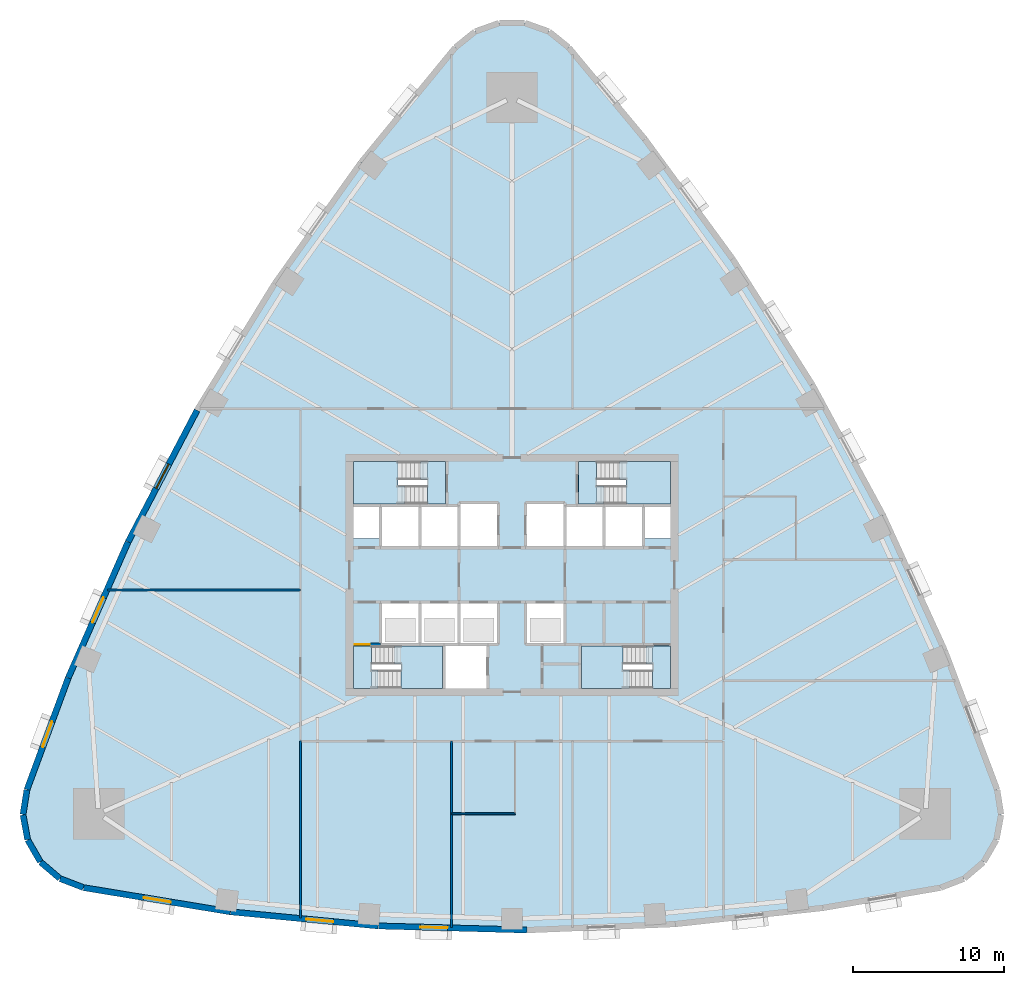
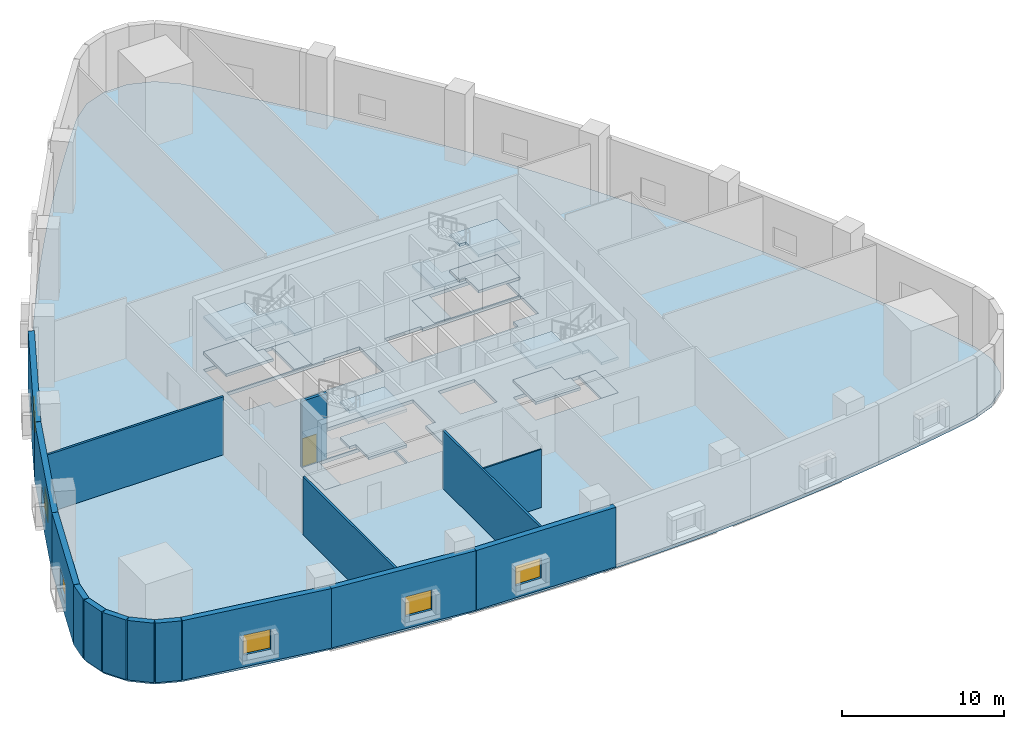
# One storey, part 2 of 11: 17 slabs, 16 walls, 6 windows, 1 door, 7 openings, 4 elements without a shape of their own.
"""IFC4 building model written with IfcOpenShell, lengths in metres."""

from ifc_helpers import new_model, si_unit, direction, frame, frame_2d, origin, place, context, subcontext, project, spatial, polyline, rectangle, outline, extrude, material, layer, layer_set, type_object, element, fill, aggregate, save


model = new_model("IFC4")

# Units and contexts
model_context = context("Model", 3, precision=1e-05, world=origin(), true_north=direction((0.0, 1.0)))
body_context = subcontext(model_context, "Body", "Model", "MODEL_VIEW")
ifc_project = project(units=[si_unit("LENGTHUNIT", "METRE"), si_unit("AREAUNIT", "SQUARE_METRE"), si_unit("VOLUMEUNIT", "CUBIC_METRE"), si_unit("PLANEANGLEUNIT", "RADIAN"), si_unit("MASSUNIT", "GRAM", prefix="KILO")], contexts=[model_context])

# Site, building, storey
site_placement = place(None, origin())
site = spatial("IfcSite", under=ifc_project, at=site_placement, CompositionType="ELEMENT")
building_placement = place(site_placement, origin())
building = spatial("IfcBuilding", under=site, at=building_placement, Name="Sierra Prisma Convention Tower", CompositionType="ELEMENT")
storey_placement = place(building_placement, frame((0.0, 0.0, 28.800048828125)))
storey = spatial("IfcBuildingStorey", under=building, at=storey_placement, Name="L04", CompositionType="ELEMENT", Elevation=28.800048828125)

# Slab
ifc_material_1 = material(Name="Concrete C35/45", Category="concrete")
ifc_layer_1 = layer(ifc_material_1, 0.25)
ifc_layer_set_1 = layer_set([ifc_layer_1], Name="Convention floor slab 250")
slab_type_1 = type_object("IfcSlabType", Name="Convention floor slab 250", PredefinedType="FLOOR", material=ifc_layer_set_1)
slab_1_placement = place(storey_placement, frame((0.0, 0.0, -0.25)))
element("IfcSlab", 1, at=slab_1_placement, inside=storey, type_object=slab_type_1, Name="Floor slab L04 floor", PredefinedType="FLOOR", context=body_context, shape_type="SweptSolid", body=[
    extrude(outline(polyline([(-28.3349609375, -20.696533203125), (-26.403564453125, -21.06884765625), (-24.467529296875, -21.414794921875), (-22.52685546875, -21.734375), (-20.581787109375, -22.027587890625), (-18.63330078125, -22.29443359375), (-16.68115234375, -22.53466796875), (-14.725830078125, -22.748291015625), (-12.767822265625, -22.93505859375), (-10.8076171875, -23.095458984375), (-8.845458984375, -23.229248046875), (-6.88134765625, -23.336181640625), (-4.916259765625, -23.41650390625), (-2.9501953125, -23.469970703125), (-0.9833984375, -23.49658203125), (0.9833984375, -23.49658203125), (2.9501953125, -23.469970703125), (4.916259765625, -23.41650390625), (6.88134765625, -23.336181640625), (8.845458984375, -23.229248046875), (10.8076171875, -23.095458984375), (12.767822265625, -22.93505859375), (14.725830078125, -22.748291015625), (16.68115234375, -22.53466796875), (18.63330078125, -22.29443359375), (20.581787109375, -22.027587890625), (22.52685546875, -21.734375), (24.467529296875, -21.414794921875), (26.403564453125, -21.06884765625), (28.3349609375, -20.696533203125), (29.913818359375, -20.089111328125), (31.199951171875, -18.989990234375), (32.045654296875, -17.52490234375), (32.354736328125, -15.861572265625), (32.091064453125, -14.1904296875), (31.447998046875, -12.331787109375), (30.779541015625, -10.48193359375), (30.0859375, -8.6416015625), (29.367431640625, -6.810546875), (28.6240234375, -4.98974609375), (27.85595703125, -3.178955078125), (27.0634765625, -1.37890625), (26.246337890625, 0.41015625), (25.405029296875, 2.18798828125), (24.539794921875, 3.954345703125), (23.650390625, 5.70849609375), (22.7373046875, 7.45068359375), (21.800537109375, 9.18017578125), (20.84033203125, 10.896728515625), (19.85693359375, 12.60009765625), (18.8505859375, 14.289794921875), (17.821044921875, 15.9658203125), (16.76904296875, 17.62744140625), (15.6943359375, 19.27490234375), (14.597412109375, 20.907470703125), (13.478515625, 22.52490234375), (12.337646484375, 24.126953125), (11.175048828125, 25.713623046875), (9.990966796875, 27.283935546875), (8.78564453125, 28.83837890625), (7.559326171875, 30.3759765625), (6.31201171875, 31.89697265625), (5.04443359375, 33.400634765625), (3.75634765625, 34.886962890625), (2.440673828125, 35.95068359375), (0.845947265625, 36.514892578125), (-0.845947265625, 36.514892578125), (-2.440673828125, 35.95068359375), (-3.75634765625, 34.886962890625), (-5.04443359375, 33.400634765625), (-6.31201171875, 31.89697265625), (-7.559326171875, 30.3759765625), (-8.78564453125, 28.83837890625), (-9.990966796875, 27.283935546875), (-11.175048828125, 25.713623046875), (-12.337646484375, 24.126953125), (-13.478515625, 22.52490234375), (-14.597412109375, 20.907470703125), (-15.6943359375, 19.27490234375), (-16.76904296875, 17.62744140625), (-17.821044921875, 15.9658203125), (-18.8505859375, 14.289794921875), (-19.85693359375, 12.60009765625), (-20.84033203125, 10.896728515625), (-21.800537109375, 9.18017578125), (-22.7373046875, 7.45068359375), (-23.650390625, 5.70849609375), (-24.539794921875, 3.954345703125), (-25.405029296875, 2.18798828125), (-26.246337890625, 0.41015625), (-27.0634765625, -1.37890625), (-27.85595703125, -3.178955078125), (-28.6240234375, -4.98974609375), (-29.367431640625, -6.810546875), (-30.0859375, -8.6416015625), (-30.779541015625, -10.48193359375), (-31.447998046875, -12.331787109375), (-32.091064453125, -14.1904296875), (-32.354736328125, -15.861572265625), (-32.045654296875, -17.52490234375), (-31.199951171875, -18.989990234375), (-29.913818359375, -20.089111328125), (-28.3349609375, -20.696533203125)]), holes=[polyline([(-4.60009765625, -7.5), (-10.5, -7.5), (-10.5, -4.699951171875), (-4.60009765625, -4.699951171875), (-4.60009765625, -7.5)]), polyline([(-8.699951171875, -4.60009765625), (-8.699951171875, -1.800048828125), (-6.10009765625, -1.800048828125), (-3.5, -1.800048828125), (-0.89990234375, -1.800048828125), (-0.89990234375, -4.60009765625), (-1.60009765625, -4.60009765625), (-1.60009765625, -7.5), (-4.5, -7.5), (-4.5, -4.60009765625), (-6.10009765625, -4.60009765625), (-8.699951171875, -4.60009765625)]), polyline([(-10.5, 4.60009765625), (-8.699951171875, 4.60009765625), (-6.10009765625, 4.60009765625), (-3.5, 4.60009765625), (-3.5, 4.800048828125), (-0.89990234375, 4.800048828125), (-0.89990234375, 1.800048828125), (-3.5, 1.800048828125), (-6.10009765625, 1.800048828125), (-8.699951171875, 1.800048828125), (-8.699951171875, 2.39990234375), (-10.5, 2.39990234375), (-10.5, 4.60009765625)]), polyline([(-4.39990234375, 4.699951171875), (-10.5, 4.699951171875), (-10.5, 7.5), (-4.39990234375, 7.5), (-4.39990234375, 4.699951171875)]), polyline([(10.5, -7.5), (4.60009765625, -7.5), (4.60009765625, -4.699951171875), (10.5, -4.699951171875), (10.5, -7.5)]), polyline([(3.5, -4.60009765625), (0.89990234375, -4.60009765625), (0.89990234375, -1.800048828125), (3.5, -1.800048828125), (3.5, -4.60009765625)]), polyline([(10.5, 4.60009765625), (10.5, 2.39990234375), (8.699951171875, 2.39990234375), (8.699951171875, 1.800048828125), (6.10009765625, 1.800048828125), (3.5, 1.800048828125), (0.89990234375, 1.800048828125), (0.89990234375, 4.800048828125), (3.5, 4.800048828125), (3.5, 4.60009765625), (6.10009765625, 4.60009765625), (8.699951171875, 4.60009765625), (10.5, 4.60009765625)]), polyline([(4.39990234375, 4.699951171875), (4.39990234375, 7.5), (10.5, 7.5), (10.5, 4.699951171875), (4.39990234375, 4.699951171875)])]), origin(), (0.0, 0.0, 1.0), 0.25),
])

# Stair, slabs
ifc_material_2 = material(Name="Concrete C30/37", Category="concrete")
stair_type = type_object("IfcStairType", Name="Stair dog-leg 1200 RC", PredefinedType="HALF_TURN_STAIR", material=ifc_material_2)
stair_1_placement = place(storey_placement, origin())
stair_1 = element("IfcStair", 2, at=stair_1_placement, inside=storey, type_object=stair_type, Name="L04 S1", PredefinedType="HALF_TURN_STAIR")
ifc_material_3 = material(Name="Concrete C35/45", Category="concrete")
ifc_layer_2 = layer(ifc_material_3, 0.199951171875)
ifc_layer_set_2 = layer_set([ifc_layer_2], Name="Stair landing slab")
slab_type_2 = type_object("IfcSlabType", Name="Stair landing slab", PredefinedType="LANDING", material=ifc_layer_set_2)
slab_2_placement = place(storey_placement, frame((0.0, 0.0, 1.14990234375)))
slab_2 = element("IfcSlab", 3, at=slab_2_placement, type_object=slab_type_2, Name="S1 landing 1", PredefinedType="LANDING", context=body_context, shape_type="SweptSolid", body=[
    extrude(outline(polyline([(-4.60009765625, -4.699951171875), (-4.60009765625, -7.5), (-7.342041015625, -7.5), (-7.342041015625, -5.89990234375), (-7.7900390625, -5.89990234375), (-7.7900390625, -4.699951171875), (-4.60009765625, -4.699951171875)])), origin(), (0.0, 0.0, 1.0), 0.199951171875),
])
slab_3_placement = place(storey_placement, frame((0.0, 0.0, 2.5)))
slab_3 = element("IfcSlab", 4, at=slab_3_placement, type_object=slab_type_2, Name="S1 landing 2", PredefinedType="LANDING", context=body_context, shape_type="SweptSolid", body=[
    extrude(outline(polyline([(-10.5, -7.5), (-10.5, -4.699951171875), (-9.298095703125, -4.699951171875), (-9.298095703125, -6.300048828125), (-8.85009765625, -6.300048828125), (-8.85009765625, -7.5), (-10.5, -7.5)])), origin(), (0.0, 0.0, 1.0), 0.199951171875),
])
slab_4_placement = place(storey_placement, frame((0.0, 0.0, 3.849853515625)))
slab_4 = element("IfcSlab", 5, at=slab_4_placement, type_object=slab_type_2, Name="S1 landing 3", PredefinedType="LANDING", context=body_context, shape_type="SweptSolid", body=[
    extrude(outline(polyline([(-4.60009765625, -4.699951171875), (-4.60009765625, -7.5), (-7.342041015625, -7.5), (-7.342041015625, -5.89990234375), (-7.7900390625, -5.89990234375), (-7.7900390625, -4.699951171875), (-4.60009765625, -4.699951171875)])), origin(), (0.0, 0.0, 1.0), 0.2001953125),
])
aggregate(stair_1, [slab_2, slab_3, slab_4])

# Slab
slab_5_placement = place(storey_placement, frame((0.0, 0.0, -0.199951171875)))
element("IfcSlab", 6, at=slab_5_placement, inside=storey, type_object=slab_type_2, Name="S1 floor landing L04", PredefinedType="LANDING", context=body_context, shape_type="SweptSolid", body=[
    extrude(outline(polyline([(-10.5, -7.5), (-9.298095703125, -7.5), (-9.298095703125, -4.699951171875), (-10.5, -4.699951171875), (-10.5, -7.5)])), origin(), (0.0, 0.0, 1.0), 0.199951171875),
])

# Stair, slabs
stair_2_placement = place(storey_placement, origin())
stair_2 = element("IfcStair", 7, at=stair_2_placement, inside=storey, type_object=stair_type, Name="L04 S2", PredefinedType="HALF_TURN_STAIR")
slab_6_placement = place(storey_placement, frame((0.0, 0.0, 1.14990234375)))
slab_6 = element("IfcSlab", 8, at=slab_6_placement, type_object=slab_type_2, Name="S2 landing 1", PredefinedType="LANDING", context=body_context, shape_type="SweptSolid", body=[
    extrude(outline(polyline([(7.7900390625, -6.300048828125), (7.7900390625, -7.5), (4.60009765625, -7.5), (4.60009765625, -4.699951171875), (7.342041015625, -4.699951171875), (7.342041015625, -6.300048828125), (7.7900390625, -6.300048828125)])), origin(), (0.0, 0.0, 1.0), 0.199951171875),
])
slab_7_placement = place(storey_placement, frame((0.0, 0.0, 2.5)))
slab_7 = element("IfcSlab", 9, at=slab_7_placement, type_object=slab_type_2, Name="S2 landing 2", PredefinedType="LANDING", context=body_context, shape_type="SweptSolid", body=[
    extrude(outline(polyline([(10.5, -4.699951171875), (10.5, -7.5), (9.298095703125, -7.5), (9.298095703125, -5.89990234375), (8.85009765625, -5.89990234375), (8.85009765625, -4.699951171875), (10.5, -4.699951171875)])), origin(), (0.0, 0.0, 1.0), 0.199951171875),
])
slab_8_placement = place(storey_placement, frame((0.0, 0.0, 3.849853515625)))
slab_8 = element("IfcSlab", 10, at=slab_8_placement, type_object=slab_type_2, Name="S2 landing 3", PredefinedType="LANDING", context=body_context, shape_type="SweptSolid", body=[
    extrude(outline(polyline([(7.7900390625, -6.300048828125), (7.7900390625, -7.5), (4.60009765625, -7.5), (4.60009765625, -4.699951171875), (7.342041015625, -4.699951171875), (7.342041015625, -6.300048828125), (7.7900390625, -6.300048828125)])), origin(), (0.0, 0.0, 1.0), 0.2001953125),
])
aggregate(stair_2, [slab_6, slab_7, slab_8])

# Slab
slab_9_placement = place(storey_placement, frame((0.0, 0.0, -0.199951171875)))
element("IfcSlab", 11, at=slab_9_placement, inside=storey, type_object=slab_type_2, Name="S2 floor landing L04", PredefinedType="LANDING", context=body_context, shape_type="SweptSolid", body=[
    extrude(outline(polyline([(10.5, -4.699951171875), (9.298095703125, -4.699951171875), (9.298095703125, -7.5), (10.5, -7.5), (10.5, -4.699951171875)])), origin(), (0.0, 0.0, 1.0), 0.199951171875),
])

# Stair, slabs
stair_3_placement = place(storey_placement, origin())
stair_3 = element("IfcStair", 12, at=stair_3_placement, inside=storey, type_object=stair_type, Name="L04 S3", PredefinedType="HALF_TURN_STAIR")
slab_10_placement = place(storey_placement, frame((0.0, 0.0, 1.14990234375)))
slab_10 = element("IfcSlab", 13, at=slab_10_placement, type_object=slab_type_2, Name="S3 landing 1", PredefinedType="LANDING", context=body_context, shape_type="SweptSolid", body=[
    extrude(outline(polyline([(-7.110107421875, 5.89990234375), (-7.110107421875, 4.699951171875), (-10.5, 4.699951171875), (-10.5, 7.5), (-7.55810546875, 7.5), (-7.55810546875, 5.89990234375), (-7.110107421875, 5.89990234375)])), origin(), (0.0, 0.0, 1.0), 0.199951171875),
])
slab_11_placement = place(storey_placement, frame((0.0, 0.0, 2.5)))
slab_11 = element("IfcSlab", 14, at=slab_11_placement, type_object=slab_type_2, Name="S3 landing 2", PredefinedType="LANDING", context=body_context, shape_type="SweptSolid", body=[
    extrude(outline(polyline([(-4.39990234375, 7.5), (-4.39990234375, 4.699951171875), (-5.60205078125, 4.699951171875), (-5.60205078125, 6.300048828125), (-6.050048828125, 6.300048828125), (-6.050048828125, 7.5), (-4.39990234375, 7.5)])), origin(), (0.0, 0.0, 1.0), 0.199951171875),
])
slab_12_placement = place(storey_placement, frame((0.0, 0.0, 3.849853515625)))
slab_12 = element("IfcSlab", 15, at=slab_12_placement, type_object=slab_type_2, Name="S3 landing 3", PredefinedType="LANDING", context=body_context, shape_type="SweptSolid", body=[
    extrude(outline(polyline([(-7.110107421875, 5.89990234375), (-7.110107421875, 4.699951171875), (-10.5, 4.699951171875), (-10.5, 7.5), (-7.55810546875, 7.5), (-7.55810546875, 5.89990234375), (-7.110107421875, 5.89990234375)])), origin(), (0.0, 0.0, 1.0), 0.2001953125),
])
aggregate(stair_3, [slab_10, slab_11, slab_12])

# Slab
slab_13_placement = place(storey_placement, frame((0.0, 0.0, -0.199951171875)))
element("IfcSlab", 16, at=slab_13_placement, inside=storey, type_object=slab_type_2, Name="S3 floor landing L04", PredefinedType="LANDING", context=body_context, shape_type="SweptSolid", body=[
    extrude(outline(polyline([(-4.39990234375, 7.5), (-5.60205078125, 7.5), (-5.60205078125, 4.699951171875), (-4.39990234375, 4.699951171875), (-4.39990234375, 7.5)])), origin(), (0.0, 0.0, 1.0), 0.199951171875),
])

# Stair, slabs
stair_4_placement = place(storey_placement, origin())
stair_4 = element("IfcStair", 17, at=stair_4_placement, inside=storey, type_object=stair_type, Name="L04 S4", PredefinedType="HALF_TURN_STAIR")
slab_14_placement = place(storey_placement, frame((0.0, 0.0, 1.14990234375)))
slab_14 = element("IfcSlab", 18, at=slab_14_placement, type_object=slab_type_2, Name="S4 landing 1", PredefinedType="LANDING", context=body_context, shape_type="SweptSolid", body=[
    extrude(outline(polyline([(10.5, 7.5), (10.5, 4.699951171875), (7.55810546875, 4.699951171875), (7.55810546875, 6.300048828125), (7.110107421875, 6.300048828125), (7.110107421875, 7.5), (10.5, 7.5)])), origin(), (0.0, 0.0, 1.0), 0.199951171875),
])
slab_15_placement = place(storey_placement, frame((0.0, 0.0, 2.5)))
slab_15 = element("IfcSlab", 19, at=slab_15_placement, type_object=slab_type_2, Name="S4 landing 2", PredefinedType="LANDING", context=body_context, shape_type="SweptSolid", body=[
    extrude(outline(polyline([(4.39990234375, 4.699951171875), (4.39990234375, 7.5), (5.60205078125, 7.5), (5.60205078125, 5.89990234375), (6.050048828125, 5.89990234375), (6.050048828125, 4.699951171875), (4.39990234375, 4.699951171875)])), origin(), (0.0, 0.0, 1.0), 0.199951171875),
])
slab_16_placement = place(storey_placement, frame((0.0, 0.0, 3.849853515625)))
slab_16 = element("IfcSlab", 20, at=slab_16_placement, type_object=slab_type_2, Name="S4 landing 3", PredefinedType="LANDING", context=body_context, shape_type="SweptSolid", body=[
    extrude(outline(polyline([(10.5, 7.5), (10.5, 4.699951171875), (7.55810546875, 4.699951171875), (7.55810546875, 6.300048828125), (7.110107421875, 6.300048828125), (7.110107421875, 7.5), (10.5, 7.5)])), origin(), (0.0, 0.0, 1.0), 0.2001953125),
])
aggregate(stair_4, [slab_14, slab_15, slab_16])

# Slab
slab_17_placement = place(storey_placement, frame((0.0, 0.0, -0.199951171875)))
element("IfcSlab", 21, at=slab_17_placement, inside=storey, type_object=slab_type_2, Name="S4 floor landing L04", PredefinedType="LANDING", context=body_context, shape_type="SweptSolid", body=[
    extrude(outline(polyline([(4.39990234375, 4.699951171875), (5.60205078125, 4.699951171875), (5.60205078125, 7.5), (4.39990234375, 7.5), (4.39990234375, 4.699951171875)])), origin(), (0.0, 0.0, 1.0), 0.199951171875),
])

# Wall
ifc_material_4 = material(Name="Gypsum board partition", Category="gypsum")
ifc_layer_3 = layer(ifc_material_4, 0.10009765625)
ifc_layer_set_3 = layer_set([ifc_layer_3], Name="Bathroom partition 100")
wall_type_1 = type_object("IfcWallType", Name="Bathroom partition 100", PredefinedType="PARTITIONING", material=ifc_layer_set_3)
wall_1_placement = place(storey_placement, frame((0.199951171875, -15.800048828125, 0.0), z_axis=(0.0, 0.0, 1.0), x_axis=(-1.0, 0.0, 0.0)))
element("IfcWall", 22, at=wall_1_placement, inside=storey, type_object=wall_type_1, Name="Partition L04 bath 2", PredefinedType="PARTITIONING", context=body_context, shape_type="SweptSolid", body=[
    extrude(rectangle(XDim=4.169921875, YDim=0.10009765625, at=frame_2d((2.0849609375, 0.0))), origin(), (0.0, 0.0, 1.0), 4.39697265625),
])

# Wall, opening, door
ifc_material_5 = material(Name="Concrete C30/37", Category="concrete")
ifc_layer_4 = layer(ifc_material_5, 0.199951171875)
ifc_layer_set_4 = layer_set([ifc_layer_4], Name="Core wall RC 200 C30/37")
wall_type_2 = type_object("IfcWallType", Name="Core wall RC 200 C30/37", PredefinedType="SOLIDWALL", material=ifc_layer_set_4)
wall_2_placement = place(storey_placement, frame((-10.5, -4.60009765625, 0.0), z_axis=(0.0, 0.0, 1.0), x_axis=(1.0, 0.0, 0.0)))
wall_2 = element("IfcWall", 23, at=wall_2_placement, inside=storey, type_object=wall_type_2, Name="Core wall L04 1", PredefinedType="SOLIDWALL", context=body_context, shape_type="SweptSolid", body=[
    extrude(rectangle(XDim=1.800048828125, YDim=0.199951171875, at=frame_2d((0.89990234375, 0.0))), origin(), (0.0, 0.0, 1.0), 5.0),
])
opening_1_placement = place(wall_2_placement, frame((0.10009765625, 0.0, 0.0)))
opening_1 = element("IfcOpeningElement", 24, at=opening_1_placement, cuts=wall_2, Name="Opening L04-D016", PredefinedType="OPENING", context=body_context, shape_type="SweptSolid", body=[
    extrude(rectangle(XDim=1.0, YDim=2.10009765625, at=frame_2d((0.5, 1.050048828125))), frame((0.0, 0.10009765625, 0.0), z_axis=(0.0, -1.0, 0.0), x_axis=(1.0, 0.0, 0.0)), (0.0, 0.0, 1.0), 0.199951171875),
])
ifc_material_6 = material(Name="Steel fire door leaf", Category="steel")
door_type = type_object("IfcDoorType", Name="Door 1000x2100 FD90S", OperationType="SINGLE_SWING_LEFT", PredefinedType="DOOR", material=ifc_material_6)
door_placement = place(opening_1_placement, origin())
door = element("IfcDoor", 25, at=door_placement, inside=storey, type_object=door_type, Name="Door L04 29", OperationType="SINGLE_SWING_LEFT", OverallHeight=2.10009765625, OverallWidth=1.0, PredefinedType="DOOR", context=body_context, shape_type="SweptSolid", body=[
    extrude(rectangle(XDim=1.0, YDim=2.10009765625, at=frame_2d((0.5, 1.050048828125))), frame((0.0, 0.02490234375, 0.0), z_axis=(0.0, -1.0, 0.0), x_axis=(1.0, 0.0, 0.0)), (0.0, 0.0, 1.0), 0.050048828125),
])
fill(opening_1, door)

# Walls
ifc_material_7 = material(Name="Gypsum board partition", Category="gypsum")
ifc_layer_5 = layer(ifc_material_7, 0.14990234375)
ifc_layer_set_5 = layer_set([ifc_layer_5], Name="Party wall 150 gypsum")
wall_type_3 = type_object("IfcWallType", Name="Party wall 150 gypsum", PredefinedType="PARTITIONING", material=ifc_layer_set_5)
wall_3_placement = place(storey_placement, frame((-14.0, -1.0, 0.0), z_axis=(0.0, 0.0, 1.0), x_axis=(-1.0, 0.0, 0.0)))
element("IfcWall", 26, at=wall_3_placement, inside=storey, type_object=wall_type_3, Name="Partition L04 party 1", PredefinedType="PARTITIONING", context=body_context, shape_type="SweptSolid", body=[
    extrude(rectangle(XDim=12.758544921875, YDim=0.14990234375, at=frame_2d((6.37939453125, 0.0))), origin(), (0.0, 0.0, 1.0), 4.384033203125),
])
wall_4_placement = place(storey_placement, frame((-14.0, -11.0, 0.0), z_axis=(0.0, 0.0, 1.0), x_axis=(0.0, -1.0, 0.0)))
element("IfcWall", 27, at=wall_4_placement, inside=storey, type_object=wall_type_3, Name="Partition L04 party 3", PredefinedType="PARTITIONING", context=body_context, shape_type="SweptSolid", body=[
    extrude(rectangle(XDim=11.697021484375, YDim=0.14990234375, at=frame_2d((5.8486328125, 0.0))), origin(), (0.0, 0.0, 1.0), 4.384033203125),
])
wall_5_placement = place(storey_placement, frame((-4.0, -11.0, 0.0), z_axis=(0.0, 0.0, 1.0), x_axis=(0.0, -1.0, 0.0)))
element("IfcWall", 28, at=wall_5_placement, inside=storey, type_object=wall_type_3, Name="Partition L04 party 4", PredefinedType="PARTITIONING", context=body_context, shape_type="SweptSolid", body=[
    extrude(rectangle(XDim=12.3212890625, YDim=0.14990234375, at=frame_2d((6.16064453125, 0.0))), origin(), (0.0, 0.0, 1.0), 4.384033203125),
])

# Wall, opening, window
ifc_material_8 = material(Name="Concrete C40/50, terracotta plaster finish", Category="masonry")
ifc_layer_6 = layer(ifc_material_8, 0.39990234375)
ifc_layer_set_6 = layer_set([ifc_layer_6], Name="Podium plastered wall 400")
wall_type_4 = type_object("IfcWallType", Name="Podium plastered wall 400", PredefinedType="STANDARD", material=ifc_layer_set_6)
wall_6_placement = place(storey_placement, frame((-25.403564453125, 2.191162109375, 0.0), z_axis=(0.0, 0.0, 1.0), x_axis=(0.464246519602, 0.885706028566, 0.0)))
wall_6 = element("IfcWall", 29, at=wall_6_placement, inside=storey, type_object=wall_type_4, Name="Podium wall L04 19", PredefinedType="STANDARD", context=body_context, shape_type="SweptSolid", body=[
    extrude(rectangle(XDim=9.82568359375, YDim=0.39990234375, at=frame_2d((4.912841796875, 0.0))), origin(), (0.0, 0.0, 1.0), 4.5),
])
opening_2_placement = place(wall_6_placement, frame((4.0, 0.0, 0.89990234375)))
opening_2 = element("IfcOpeningElement", 30, at=opening_2_placement, cuts=wall_6, Name="Opening L04-W10", PredefinedType="OPENING", context=body_context, shape_type="SweptSolid", body=[
    extrude(rectangle(XDim=1.800048828125, YDim=1.5, at=frame_2d((0.89990234375, 0.75))), frame((0.0, 0.199951171875, 0.0), z_axis=(0.0, -1.0, 0.0), x_axis=(1.0, 0.0, 0.0)), (0.0, 0.0, 1.0), 0.39990234375),
])
ifc_material_9 = material(Name="Tinted glass, bronze aluminium frame", Category="aluminium")
window_type = type_object("IfcWindowType", Name="Podium meeting window 1800 x 1500", PartitioningType="DOUBLE_PANEL_VERTICAL", PredefinedType="WINDOW", material=ifc_material_9)
window_1_placement = place(opening_2_placement, origin())
window_1 = element("IfcWindow", 31, at=window_1_placement, inside=storey, type_object=window_type, Name="Meeting window", OverallHeight=1.5, OverallWidth=1.800048828125, PartitioningType="SINGLE_PANEL", PredefinedType="WINDOW", context=body_context, shape_type="SweptSolid", body=[
    extrude(rectangle(XDim=1.800048828125, YDim=1.5, at=frame_2d((0.89990234375, 0.75))), frame((0.0, 0.030029296875, 0.0), z_axis=(0.0, -1.0, 0.0), x_axis=(1.0, 0.0, 0.0)), (0.0, 0.0, 1.0), 0.06005859375),
])
fill(opening_2, window_1)

wall_7_placement = place(storey_placement, frame((-29.3662109375, -6.8076171875, 0.0), z_axis=(0.0, 0.0, 1.0), x_axis=(0.40298923147, 0.915204719895, 0.0)))
wall_7 = element("IfcWall", 32, at=wall_7_placement, inside=storey, type_object=wall_type_4, Name="Podium wall L04 20", PredefinedType="STANDARD", context=body_context, shape_type="SweptSolid", body=[
    extrude(rectangle(XDim=9.825927734375, YDim=0.39990234375, at=frame_2d((4.9130859375, 0.0))), origin(), (0.0, 0.0, 1.0), 4.5),
])
opening_3_placement = place(wall_7_placement, frame((4.0, 0.0, 0.89990234375)))
opening_3 = element("IfcOpeningElement", 33, at=opening_3_placement, cuts=wall_7, Name="Opening L04-W11", PredefinedType="OPENING", context=body_context, shape_type="SweptSolid", body=[
    extrude(rectangle(XDim=1.800048828125, YDim=1.5, at=frame_2d((0.89990234375, 0.75))), frame((0.0, 0.199951171875, 0.0), z_axis=(0.0, -1.0, 0.0), x_axis=(1.0, 0.0, 0.0)), (0.0, 0.0, 1.0), 0.39990234375),
])
window_2_placement = place(opening_3_placement, origin())
window_2 = element("IfcWindow", 34, at=window_2_placement, inside=storey, type_object=window_type, Name="Meeting window", OverallHeight=1.5, OverallWidth=1.800048828125, PartitioningType="SINGLE_PANEL", PredefinedType="WINDOW", context=body_context, shape_type="SweptSolid", body=[
    extrude(rectangle(XDim=1.800048828125, YDim=1.5, at=frame_2d((0.89990234375, 0.75))), frame((0.0, 0.030029296875, 0.0), z_axis=(0.0, -1.0, 0.0), x_axis=(1.0, 0.0, 0.0)), (0.0, 0.0, 1.0), 0.06005859375),
])
fill(opening_3, window_2)

wall_8_placement = place(storey_placement, frame((-32.09423828125, -14.199462890625, 0.0), z_axis=(0.0, 0.0, 1.0), x_axis=(0.346208249512, 0.938157688222, 0.0)))
wall_8 = element("IfcWall", 35, at=wall_8_placement, inside=storey, type_object=wall_type_4, Name="Podium wall L04 21", PredefinedType="STANDARD", context=body_context, shape_type="SweptSolid", body=[
    extrude(rectangle(XDim=7.873291015625, YDim=0.39990234375, at=frame_2d((3.9365234375, 0.0))), origin(), (0.0, 0.0, 1.0), 4.5),
])
opening_4_placement = place(wall_8_placement, frame((3.0, 0.0, 0.89990234375)))
opening_4 = element("IfcOpeningElement", 36, at=opening_4_placement, cuts=wall_8, Name="Opening L04-W12", PredefinedType="OPENING", context=body_context, shape_type="SweptSolid", body=[
    extrude(rectangle(XDim=1.800048828125, YDim=1.5, at=frame_2d((0.89990234375, 0.75))), frame((0.0, 0.199951171875, 0.0), z_axis=(0.0, -1.0, 0.0), x_axis=(1.0, 0.0, 0.0)), (0.0, 0.0, 1.0), 0.39990234375),
])
window_3_placement = place(opening_4_placement, origin())
window_3 = element("IfcWindow", 37, at=window_3_placement, inside=storey, type_object=window_type, Name="Meeting window", OverallHeight=1.5, OverallWidth=1.800048828125, PartitioningType="SINGLE_PANEL", PredefinedType="WINDOW", context=body_context, shape_type="SweptSolid", body=[
    extrude(rectangle(XDim=1.800048828125, YDim=1.5, at=frame_2d((0.89990234375, 0.75))), frame((0.0, 0.030029296875, 0.0), z_axis=(0.0, -1.0, 0.0), x_axis=(1.0, 0.0, 0.0)), (0.0, 0.0, 1.0), 0.06005859375),
])
fill(opening_4, window_3)

# Walls
wall_9_placement = place(storey_placement, frame((-32.355712890625, -15.8447265625, 0.0), z_axis=(0.0, 0.0, 1.0), x_axis=(0.155711266073, 0.98780261268, 0.0)))
element("IfcWall", 38, at=wall_9_placement, inside=storey, type_object=wall_type_4, Name="Podium wall L04 22", PredefinedType="STANDARD", context=body_context, shape_type="SweptSolid", body=[
    extrude(rectangle(XDim=1.646240234375, YDim=0.39990234375, at=frame_2d((0.8232421875, 0.0))), origin(), (0.0, 0.0, 1.0), 4.5),
])
for number, where, z_axis, x_axis, name in (
    (39, (-32.05224609375, -17.50927734375, 0.0), (0.0, 0.0, 1.0), (-0.182653168579, 0.983177410241, 0.0), "Podium wall L04 23"),
    (40, (-31.211181640625, -18.9775390625, 0.0), (0.0, 0.0, 1.0), (-0.499985761608, 0.866033624168, 0.0), "Podium wall L04 24"),
    (41, (-29.9287109375, -20.0810546875, 0.0), (0.0, 0.0, 1.0), (-0.760211621525, 0.649675527089, 0.0), "Podium wall L04 25"),
):
    element("IfcWall", number, at=place(storey_placement, frame(where, z_axis=z_axis, x_axis=x_axis)), inside=storey, type_object=wall_type_4, Name=name, PredefinedType="STANDARD", context=body_context, shape_type="SweptSolid", body=[
        extrude(rectangle(XDim=1.65869140625, YDim=0.39990234375, at=frame_2d((0.829345703125, 0.0))), origin(), (0.0, 0.0, 1.0), 4.5),
    ])
wall_10_placement = place(storey_placement, frame((-28.36328125, -20.689453125, 0.0), z_axis=(0.0, 0.0, 1.0), x_axis=(-0.933315023429, 0.359058584415, 0.0)))
element("IfcWall", 42, at=wall_10_placement, inside=storey, type_object=wall_type_4, Name="Podium wall L04 26", PredefinedType="STANDARD", context=body_context, shape_type="SweptSolid", body=[
    extrude(rectangle(XDim=1.646240234375, YDim=0.39990234375, at=frame_2d((0.8232421875, 0.0))), origin(), (0.0, 0.0, 1.0), 4.5),
])

# Wall, opening, window
wall_11_placement = place(storey_placement, frame((-18.63671875, -22.2939453125, 0.0), z_axis=(0.0, 0.0, 1.0), x_axis=(-0.986700059484, 0.162551507574, 0.0)))
wall_11 = element("IfcWall", 43, at=wall_11_placement, inside=storey, type_object=wall_type_4, Name="Podium wall L04 27", PredefinedType="STANDARD", context=body_context, shape_type="SweptSolid", body=[
    extrude(rectangle(XDim=9.837646484375, YDim=0.39990234375, at=frame_2d((4.9189453125, 0.0))), origin(), (0.0, 0.0, 1.0), 4.5),
])
opening_5_placement = place(wall_11_placement, frame((4.0, 0.0, 0.89990234375)))
opening_5 = element("IfcOpeningElement", 44, at=opening_5_placement, cuts=wall_11, Name="Opening L04-W13", PredefinedType="OPENING", context=body_context, shape_type="SweptSolid", body=[
    extrude(rectangle(XDim=1.800048828125, YDim=1.5, at=frame_2d((0.89990234375, 0.75))), frame((0.0, 0.199951171875, 0.0), z_axis=(0.0, -1.0, 0.0), x_axis=(1.0, 0.0, 0.0)), (0.0, 0.0, 1.0), 0.39990234375),
])
window_4_placement = place(opening_5_placement, origin())
window_4 = element("IfcWindow", 45, at=window_4_placement, inside=storey, type_object=window_type, Name="Meeting window", OverallHeight=1.5, OverallWidth=1.800048828125, PartitioningType="SINGLE_PANEL", PredefinedType="WINDOW", context=body_context, shape_type="SweptSolid", body=[
    extrude(rectangle(XDim=1.800048828125, YDim=1.5, at=frame_2d((0.89990234375, 0.75))), frame((0.0, 0.030029296875, 0.0), z_axis=(0.0, -1.0, 0.0), x_axis=(1.0, 0.0, 0.0)), (0.0, 0.0, 1.0), 0.06005859375),
])
fill(opening_5, window_4)

wall_12_placement = place(storey_placement, frame((-8.8486328125, -23.22900390625, 0.0), z_axis=(0.0, 0.0, 1.0), x_axis=(-0.995471095278, 0.095064706733, 0.0)))
wall_12 = element("IfcWall", 46, at=wall_12_placement, inside=storey, type_object=wall_type_4, Name="Podium wall L04 28", PredefinedType="STANDARD", context=body_context, shape_type="SweptSolid", body=[
    extrude(rectangle(XDim=9.82568359375, YDim=0.39990234375, at=frame_2d((4.912841796875, 0.0))), origin(), (0.0, 0.0, 1.0), 4.5),
])
opening_6_placement = place(wall_12_placement, frame((3.0, 0.0, 0.89990234375)))
opening_6 = element("IfcOpeningElement", 47, at=opening_6_placement, cuts=wall_12, Name="Opening L04-W14", PredefinedType="OPENING", context=body_context, shape_type="SweptSolid", body=[
    extrude(rectangle(XDim=1.800048828125, YDim=1.5, at=frame_2d((0.89990234375, 0.75))), frame((0.0, 0.199951171875, 0.0), z_axis=(0.0, -1.0, 0.0), x_axis=(1.0, 0.0, 0.0)), (0.0, 0.0, 1.0), 0.39990234375),
])
window_5_placement = place(opening_6_placement, origin())
window_5 = element("IfcWindow", 48, at=window_5_placement, inside=storey, type_object=window_type, Name="Meeting window", OverallHeight=1.5, OverallWidth=1.800048828125, PartitioningType="SINGLE_PANEL", PredefinedType="WINDOW", context=body_context, shape_type="SweptSolid", body=[
    extrude(rectangle(XDim=1.800048828125, YDim=1.5, at=frame_2d((0.89990234375, 0.75))), frame((0.0, 0.030029296875, 0.0), z_axis=(0.0, -1.0, 0.0), x_axis=(1.0, 0.0, 0.0)), (0.0, 0.0, 1.0), 0.06005859375),
])
fill(opening_6, window_5)

wall_13_placement = place(storey_placement, frame((0.97998046875, -23.49658203125, 0.0), z_axis=(0.0, 0.0, 1.0), x_axis=(-0.999629782494, 0.027208416899, 0.0)))
wall_13 = element("IfcWall", 49, at=wall_13_placement, inside=storey, type_object=wall_type_4, Name="Podium wall L04 29", PredefinedType="STANDARD", context=body_context, shape_type="SweptSolid", body=[
    extrude(rectangle(XDim=9.825439453125, YDim=0.39990234375, at=frame_2d((4.91259765625, 0.0))), origin(), (0.0, 0.0, 1.0), 4.5),
])
opening_7_placement = place(wall_13_placement, frame((5.25, 0.0, 0.89990234375)))
opening_7 = element("IfcOpeningElement", 50, at=opening_7_placement, cuts=wall_13, Name="Opening L04-W15", PredefinedType="OPENING", context=body_context, shape_type="SweptSolid", body=[
    extrude(rectangle(XDim=1.800048828125, YDim=1.5, at=frame_2d((0.89990234375, 0.75))), frame((0.0, 0.199951171875, 0.0), z_axis=(0.0, -1.0, 0.0), x_axis=(1.0, 0.0, 0.0)), (0.0, 0.0, 1.0), 0.39990234375),
])
window_6_placement = place(opening_7_placement, origin())
window_6 = element("IfcWindow", 51, at=window_6_placement, inside=storey, type_object=window_type, Name="Meeting window", OverallHeight=1.5, OverallWidth=1.800048828125, PartitioningType="SINGLE_PANEL", PredefinedType="WINDOW", context=body_context, shape_type="SweptSolid", body=[
    extrude(rectangle(XDim=1.800048828125, YDim=1.5, at=frame_2d((0.89990234375, 0.75))), frame((0.0, 0.030029296875, 0.0), z_axis=(0.0, -1.0, 0.0), x_axis=(1.0, 0.0, 0.0)), (0.0, 0.0, 1.0), 0.06005859375),
])
fill(opening_7, window_6)

save(model, "model.ifc")
